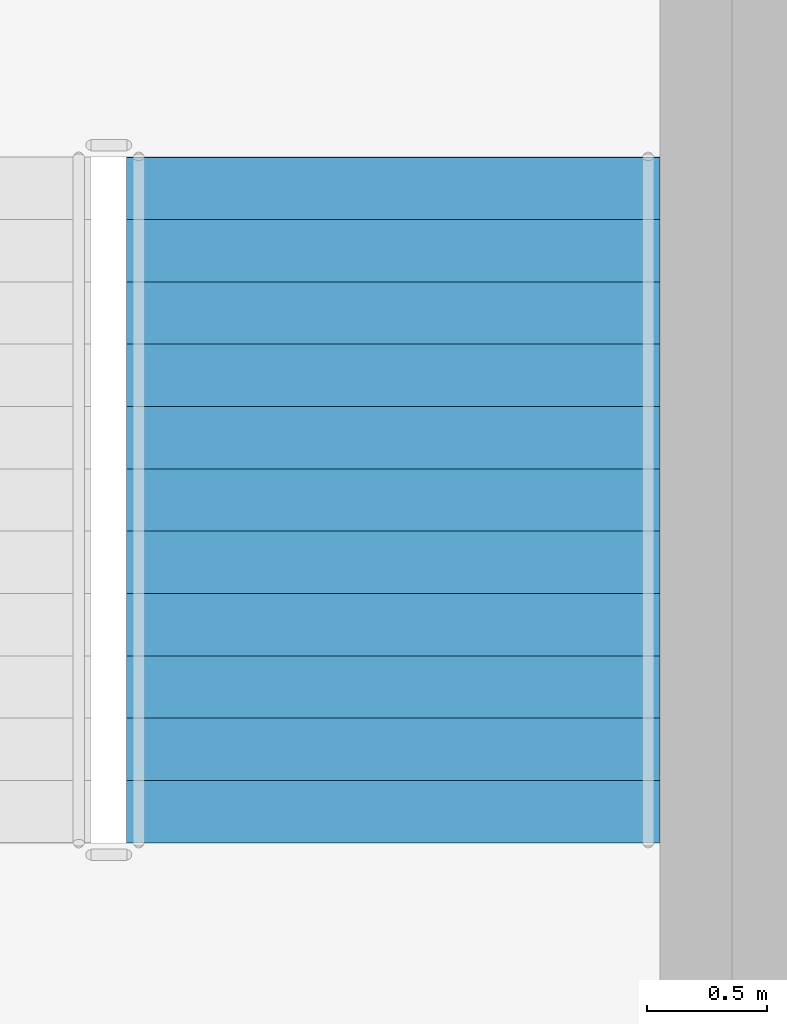
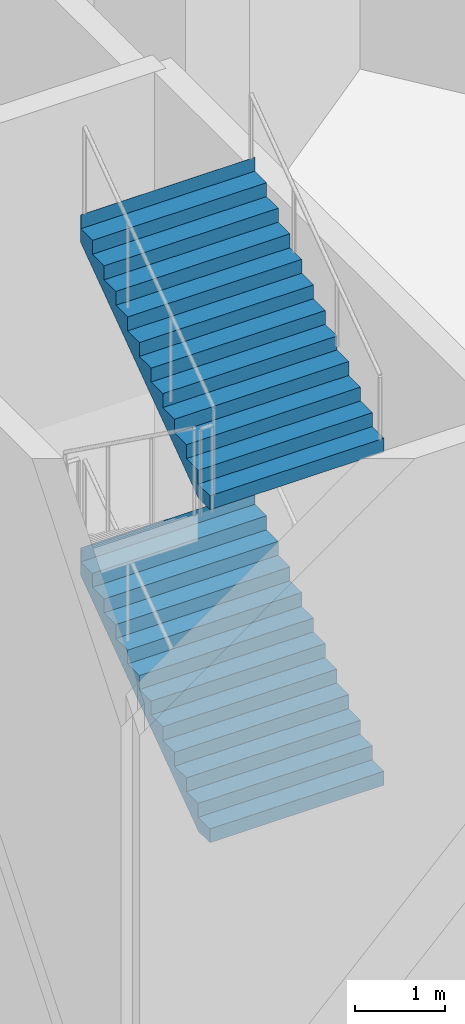
# One storey, part 18 of 35: 2 stair flights, 1 element without a shape of its own.
"""IFC4 building model written with IfcOpenShell, lengths in metres."""

from ifc_helpers import new_model, si_unit, direction, frame, origin, place, context, subcontext, project, spatial, triangles, material, type_object, element, aggregate, save


model = new_model("IFC4")

# Units and contexts
model_context = context("Model", 3, precision=1e-05, world=origin(), true_north=direction((0.0, 1.0)))
body_context = subcontext(model_context, "Body", "Model", "MODEL_VIEW")
ifc_project = project(units=[si_unit("LENGTHUNIT", "METRE"), si_unit("AREAUNIT", "SQUARE_METRE"), si_unit("VOLUMEUNIT", "CUBIC_METRE"), si_unit("PLANEANGLEUNIT", "RADIAN"), si_unit("MASSUNIT", "GRAM", prefix="KILO")], contexts=[model_context])

# Site, building, storey
site_placement = place(None, origin())
site = spatial("IfcSite", under=ifc_project, at=site_placement, CompositionType="ELEMENT")
building_placement = place(site_placement, origin())
building = spatial("IfcBuilding", under=site, at=building_placement, Name="Sahrelin Media Tower", CompositionType="ELEMENT")
storey_placement = place(building_placement, frame((0.0, 0.0, 17.0)))
storey = spatial("IfcBuildingStorey", under=building, at=storey_placement, Name="L02", CompositionType="ELEMENT", Elevation=17.0)

# Stair, stair flights
ifc_material = material(Name="Concrete C40/50", Category="concrete")
stair_type = type_object("IfcStairType", Name="Podium stair 2225", PredefinedType="HALF_TURN_STAIR", material=ifc_material)
stair_placement = place(storey_placement, origin())
stair = element("IfcStair", 1, at=stair_placement, inside=storey, type_object=stair_type, Name="L02 Podium stair PS4", PredefinedType="HALF_TURN_STAIR")
stair_flight_type = type_object("IfcStairFlightType", Name="Stair flight 2225", PredefinedType="STRAIGHT", material=ifc_material)
stair_flight_1_placement = place(storey_placement, frame((11.83740234375, -33.485107421875, 2.25), z_axis=(0.0, 0.0, 1.0), x_axis=(0.0, 1.0, 0.0)))
stair_flight_1 = element("IfcStairFlight", 2, at=stair_flight_1_placement, type_object=stair_flight_type, Name="PS4 flight 2", NumberOfRisers=12, NumberOfTreads=11, PredefinedType="STRAIGHT", RiserHeight=0.1875, TreadLength=0.26, context=body_context, shape_type="Tessellation", body=[
    triangles([(0.25634765625, 1.112548828125, 0.0), (0.25634765625, 0.794677734375, 0.0), (0.25634765625, 0.476806640625, 0.0), (0.25634765625, 0.158935546875, 0.0), (0.25634765625, -0.158935546875, 0.0), (0.25634765625, -0.476806640625, 0.0), (0.25634765625, -0.794677734375, 0.0), (0.25634765625, -1.112548828125, 0.0), (2.860107421875, 1.112548828125, 1.877685546875), (2.860107421875, 0.794677734375, 1.877685546875), (2.860107421875, 0.476806640625, 1.877685546875), (2.860107421875, 0.158935546875, 1.877685546875), (2.860107421875, -0.158935546875, 1.877685546875), (2.860107421875, -0.476806640625, 1.877685546875), (2.860107421875, -0.794677734375, 1.877685546875), (2.860107421875, -1.112548828125, 1.877685546875), (2.860107421875, 1.112548828125, 2.25), (2.860107421875, 0.794677734375, 2.25), (2.860107421875, 0.476806640625, 2.25), (2.860107421875, 0.158935546875, 2.25), (2.860107421875, -0.158935546875, 2.25), (2.860107421875, -0.476806640625, 2.25), (2.860107421875, -0.794677734375, 2.25), (2.860107421875, -1.112548828125, 2.25), (2.85791015625, 1.112548828125, 2.25), (2.85791015625, 0.794677734375, 2.25), (2.85791015625, 0.476806640625, 2.25), (2.85791015625, 0.158935546875, 2.25), (2.85791015625, -0.158935546875, 2.25), (2.85791015625, -0.476806640625, 2.25), (2.85791015625, -0.794677734375, 2.25), (2.85791015625, -1.112548828125, 2.25), (2.85791015625, 1.112548828125, 2.0625), (2.85791015625, 0.794677734375, 2.0625), (2.85791015625, 0.476806640625, 2.0625), (2.85791015625, 0.158935546875, 2.0625), (2.85791015625, -0.158935546875, 2.0625), (2.85791015625, -0.476806640625, 2.0625), (2.85791015625, -0.794677734375, 2.0625), (2.85791015625, -1.112548828125, 2.0625), (2.60009765625, 1.112548828125, 2.0625), (2.60009765625, 0.794677734375, 2.0625), (2.60009765625, 0.476806640625, 2.0625), (2.60009765625, 0.158935546875, 2.0625), (2.60009765625, -0.158935546875, 2.0625), (2.60009765625, -0.476806640625, 2.0625), (2.60009765625, -0.794677734375, 2.0625), (2.60009765625, -1.112548828125, 2.0625), (2.60009765625, 1.112548828125, 1.875), (2.60009765625, 0.794677734375, 1.875), (2.60009765625, 0.476806640625, 1.875), (2.60009765625, 0.158935546875, 1.875), (2.60009765625, -0.158935546875, 1.875), (2.60009765625, -0.476806640625, 1.875), (2.60009765625, -0.794677734375, 1.875), (2.60009765625, -1.112548828125, 1.875), (2.340087890625, 1.112548828125, 1.875), (2.340087890625, 0.794677734375, 1.875), (2.340087890625, 0.476806640625, 1.875), (2.340087890625, 0.158935546875, 1.875), (2.340087890625, -0.158935546875, 1.875), (2.340087890625, -0.476806640625, 1.875), (2.340087890625, -0.794677734375, 1.875), (2.340087890625, -1.112548828125, 1.875), (2.340087890625, 1.112548828125, 1.6875), (2.340087890625, 0.794677734375, 1.6875), (2.340087890625, 0.476806640625, 1.6875), (2.340087890625, 0.158935546875, 1.6875), (2.340087890625, -0.158935546875, 1.6875), (2.340087890625, -0.476806640625, 1.6875), (2.340087890625, -0.794677734375, 1.6875), (2.340087890625, -1.112548828125, 1.6875), (2.080078125, 1.112548828125, 1.6875), (2.080078125, 0.794677734375, 1.6875), (2.080078125, 0.476806640625, 1.6875), (2.080078125, 0.158935546875, 1.6875), (2.080078125, -0.158935546875, 1.6875), (2.080078125, -0.476806640625, 1.6875), (2.080078125, -0.794677734375, 1.6875), (2.080078125, -1.112548828125, 1.6875), (2.080078125, 1.112548828125, 1.5), (2.080078125, 0.794677734375, 1.5), (2.080078125, 0.476806640625, 1.5), (2.080078125, 0.158935546875, 1.5), (2.080078125, -0.158935546875, 1.5), (2.080078125, -0.476806640625, 1.5), (2.080078125, -0.794677734375, 1.5), (2.080078125, -1.112548828125, 1.5), (1.820068359375, 1.112548828125, 1.5), (1.820068359375, 0.794677734375, 1.5), (1.820068359375, 0.476806640625, 1.5), (1.820068359375, 0.158935546875, 1.5), (1.820068359375, -0.158935546875, 1.5), (1.820068359375, -0.476806640625, 1.5), (1.820068359375, -0.794677734375, 1.5), (1.820068359375, -1.112548828125, 1.5), (1.820068359375, 1.112548828125, 1.3125), (1.820068359375, 0.794677734375, 1.3125), (1.820068359375, 0.476806640625, 1.3125), (1.820068359375, 0.158935546875, 1.3125), (1.820068359375, -0.158935546875, 1.3125), (1.820068359375, -0.476806640625, 1.3125), (1.820068359375, -0.794677734375, 1.3125), (1.820068359375, -1.112548828125, 1.3125), (1.56005859375, 1.112548828125, 1.3125), (1.56005859375, 0.794677734375, 1.3125), (1.56005859375, 0.476806640625, 1.3125), (1.56005859375, 0.158935546875, 1.3125), (1.56005859375, -0.158935546875, 1.3125), (1.56005859375, -0.476806640625, 1.3125), (1.56005859375, -0.794677734375, 1.3125), (1.56005859375, -1.112548828125, 1.3125), (1.56005859375, 1.112548828125, 1.125), (1.56005859375, 0.794677734375, 1.125), (1.56005859375, 0.476806640625, 1.125), (1.56005859375, 0.158935546875, 1.125), (1.56005859375, -0.158935546875, 1.125), (1.56005859375, -0.476806640625, 1.125), (1.56005859375, -0.794677734375, 1.125), (1.56005859375, -1.112548828125, 1.125), (1.300048828125, 1.112548828125, 1.125), (1.300048828125, 0.794677734375, 1.125), (1.300048828125, 0.476806640625, 1.125), (1.300048828125, 0.158935546875, 1.125), (1.300048828125, -0.158935546875, 1.125), (1.300048828125, -0.476806640625, 1.125), (1.300048828125, -0.794677734375, 1.125), (1.300048828125, -1.112548828125, 1.125), (1.300048828125, 1.112548828125, 0.9375), (1.300048828125, 0.794677734375, 0.9375), (1.300048828125, 0.476806640625, 0.9375), (1.300048828125, 0.158935546875, 0.9375), (1.300048828125, -0.158935546875, 0.9375), (1.300048828125, -0.476806640625, 0.9375), (1.300048828125, -0.794677734375, 0.9375), (1.300048828125, -1.112548828125, 0.9375), (1.0400390625, 1.112548828125, 0.9375), (1.0400390625, 0.794677734375, 0.9375), (1.0400390625, 0.476806640625, 0.9375), (1.0400390625, 0.158935546875, 0.9375), (1.0400390625, -0.158935546875, 0.9375), (1.0400390625, -0.476806640625, 0.9375), (1.0400390625, -0.794677734375, 0.9375), (1.0400390625, -1.112548828125, 0.9375), (1.0400390625, 1.112548828125, 0.75), (1.0400390625, 0.794677734375, 0.75), (1.0400390625, 0.476806640625, 0.75), (1.0400390625, 0.158935546875, 0.75), (1.0400390625, -0.158935546875, 0.75), (1.0400390625, -0.476806640625, 0.75), (1.0400390625, -0.794677734375, 0.75), (1.0400390625, -1.112548828125, 0.75), (0.780029296875, 1.112548828125, 0.75), (0.780029296875, 0.794677734375, 0.75), (0.780029296875, 0.476806640625, 0.75), (0.780029296875, 0.158935546875, 0.75), (0.780029296875, -0.158935546875, 0.75), (0.780029296875, -0.476806640625, 0.75), (0.780029296875, -0.794677734375, 0.75), (0.780029296875, -1.112548828125, 0.75), (0.780029296875, 1.112548828125, 0.5625), (0.780029296875, 0.794677734375, 0.5625), (0.780029296875, 0.476806640625, 0.5625), (0.780029296875, 0.158935546875, 0.5625), (0.780029296875, -0.158935546875, 0.5625), (0.780029296875, -0.476806640625, 0.5625), (0.780029296875, -0.794677734375, 0.5625), (0.780029296875, -1.112548828125, 0.5625), (0.52001953125, 1.112548828125, 0.5625), (0.52001953125, 0.794677734375, 0.5625), (0.52001953125, 0.476806640625, 0.5625), (0.52001953125, 0.158935546875, 0.5625), (0.52001953125, -0.158935546875, 0.5625), (0.52001953125, -0.476806640625, 0.5625), (0.52001953125, -0.794677734375, 0.5625), (0.52001953125, -1.112548828125, 0.5625), (0.52001953125, 1.112548828125, 0.375), (0.52001953125, 0.794677734375, 0.375), (0.52001953125, 0.476806640625, 0.375), (0.52001953125, 0.158935546875, 0.375), (0.52001953125, -0.158935546875, 0.375), (0.52001953125, -0.476806640625, 0.375), (0.52001953125, -0.794677734375, 0.375), (0.52001953125, -1.112548828125, 0.375), (0.260009765625, 1.112548828125, 0.375), (0.260009765625, 0.794677734375, 0.375), (0.260009765625, 0.476806640625, 0.375), (0.260009765625, 0.158935546875, 0.375), (0.260009765625, -0.158935546875, 0.375), (0.260009765625, -0.476806640625, 0.375), (0.260009765625, -0.794677734375, 0.375), (0.260009765625, -1.112548828125, 0.375), (0.260009765625, 1.112548828125, 0.1875), (0.260009765625, 0.794677734375, 0.1875), (0.260009765625, 0.476806640625, 0.1875), (0.260009765625, 0.158935546875, 0.1875), (0.260009765625, -0.158935546875, 0.1875), (0.260009765625, -0.476806640625, 0.1875), (0.260009765625, -0.794677734375, 0.1875), (0.260009765625, -1.112548828125, 0.1875), (0.0, 1.112548828125, 0.1875), (0.0, 0.794677734375, 0.1875), (0.0, 0.476806640625, 0.1875), (0.0, 0.158935546875, 0.1875), (0.0, -0.158935546875, 0.1875), (0.0, -0.476806640625, 0.1875), (0.0, -0.794677734375, 0.1875), (0.0, -1.112548828125, 0.1875), (0.0, 1.112548828125, 0.0), (0.0, 0.794677734375, 0.0), (0.0, 0.476806640625, 0.0), (0.0, 0.158935546875, 0.0), (0.0, -0.158935546875, 0.0), (0.0, -0.476806640625, 0.0), (0.0, -0.794677734375, 0.0), (0.0, -1.112548828125, 0.0)], [[1, 9, 10], [1, 10, 2], [2, 10, 11], [2, 11, 3], [3, 11, 12], [3, 12, 4], [4, 12, 13], [4, 13, 5], [5, 13, 14], [5, 14, 6], [6, 14, 15], [6, 15, 7], [7, 15, 16], [7, 16, 8], [9, 17, 18], [9, 18, 10], [10, 18, 19], [10, 19, 11], [11, 19, 20], [11, 20, 12], [12, 20, 21], [12, 21, 13], [13, 21, 22], [13, 22, 14], [14, 22, 23], [14, 23, 15], [15, 23, 24], [15, 24, 16], [17, 25, 26], [17, 26, 18], [18, 26, 27], [18, 27, 19], [19, 27, 28], [19, 28, 20], [20, 28, 29], [20, 29, 21], [21, 29, 30], [21, 30, 22], [22, 30, 31], [22, 31, 23], [23, 31, 32], [23, 32, 24], [25, 33, 34], [25, 34, 26], [26, 34, 35], [26, 35, 27], [27, 35, 36], [27, 36, 28], [28, 36, 37], [28, 37, 29], [29, 37, 38], [29, 38, 30], [30, 38, 39], [30, 39, 31], [31, 39, 40], [31, 40, 32], [33, 41, 42], [33, 42, 34], [34, 42, 43], [34, 43, 35], [35, 43, 44], [35, 44, 36], [36, 44, 45], [36, 45, 37], [37, 45, 46], [37, 46, 38], [38, 46, 47], [38, 47, 39], [39, 47, 48], [39, 48, 40], [41, 49, 50], [41, 50, 42], [42, 50, 51], [42, 51, 43], [43, 51, 52], [43, 52, 44], [44, 52, 53], [44, 53, 45], [45, 53, 54], [45, 54, 46], [46, 54, 55], [46, 55, 47], [47, 55, 56], [47, 56, 48], [49, 57, 58], [49, 58, 50], [50, 58, 59], [50, 59, 51], [51, 59, 60], [51, 60, 52], [52, 60, 61], [52, 61, 53], [53, 61, 62], [53, 62, 54], [54, 62, 63], [54, 63, 55], [55, 63, 64], [55, 64, 56], [57, 65, 66], [57, 66, 58], [58, 66, 67], [58, 67, 59], [59, 67, 68], [59, 68, 60], [60, 68, 69], [60, 69, 61], [61, 69, 70], [61, 70, 62], [62, 70, 71], [62, 71, 63], [63, 71, 72], [63, 72, 64], [65, 73, 74], [65, 74, 66], [66, 74, 75], [66, 75, 67], [67, 75, 76], [67, 76, 68], [68, 76, 77], [68, 77, 69], [69, 77, 78], [69, 78, 70], [70, 78, 79], [70, 79, 71], [71, 79, 80], [71, 80, 72], [73, 81, 82], [73, 82, 74], [74, 82, 83], [74, 83, 75], [75, 83, 84], [75, 84, 76], [76, 84, 85], [76, 85, 77], [77, 85, 86], [77, 86, 78], [78, 86, 87], [78, 87, 79], [79, 87, 88], [79, 88, 80], [81, 89, 90], [81, 90, 82], [82, 90, 91], [82, 91, 83], [83, 91, 92], [83, 92, 84], [84, 92, 93], [84, 93, 85], [85, 93, 94], [85, 94, 86], [86, 94, 95], [86, 95, 87], [87, 95, 96], [87, 96, 88], [89, 97, 98], [89, 98, 90], [90, 98, 99], [90, 99, 91], [91, 99, 100], [91, 100, 92], [92, 100, 101], [92, 101, 93], [93, 101, 102], [93, 102, 94], [94, 102, 103], [94, 103, 95], [95, 103, 104], [95, 104, 96], [97, 105, 106], [97, 106, 98], [98, 106, 107], [98, 107, 99], [99, 107, 108], [99, 108, 100], [100, 108, 109], [100, 109, 101], [101, 109, 110], [101, 110, 102], [102, 110, 111], [102, 111, 103], [103, 111, 112], [103, 112, 104], [105, 113, 114], [105, 114, 106], [106, 114, 115], [106, 115, 107], [107, 115, 116], [107, 116, 108], [108, 116, 117], [108, 117, 109], [109, 117, 118], [109, 118, 110], [110, 118, 119], [110, 119, 111], [111, 119, 120], [111, 120, 112], [113, 121, 122], [113, 122, 114], [114, 122, 123], [114, 123, 115], [115, 123, 124], [115, 124, 116], [116, 124, 125], [116, 125, 117], [117, 125, 126], [117, 126, 118], [118, 126, 127], [118, 127, 119], [119, 127, 128], [119, 128, 120], [121, 129, 130], [121, 130, 122], [122, 130, 131], [122, 131, 123], [123, 131, 132], [123, 132, 124], [124, 132, 133], [124, 133, 125], [125, 133, 134], [125, 134, 126], [126, 134, 135], [126, 135, 127], [127, 135, 136], [127, 136, 128], [129, 137, 138], [129, 138, 130], [130, 138, 139], [130, 139, 131], [131, 139, 140], [131, 140, 132], [132, 140, 141], [132, 141, 133], [133, 141, 142], [133, 142, 134], [134, 142, 143], [134, 143, 135], [135, 143, 144], [135, 144, 136], [137, 145, 146], [137, 146, 138], [138, 146, 147], [138, 147, 139], [139, 147, 148], [139, 148, 140], [140, 148, 149], [140, 149, 141], [141, 149, 150], [141, 150, 142], [142, 150, 151], [142, 151, 143], [143, 151, 152], [143, 152, 144], [145, 153, 154], [145, 154, 146], [146, 154, 155], [146, 155, 147], [147, 155, 156], [147, 156, 148], [148, 156, 157], [148, 157, 149], [149, 157, 158], [149, 158, 150], [150, 158, 159], [150, 159, 151], [151, 159, 160], [151, 160, 152], [153, 161, 162], [153, 162, 154], [154, 162, 163], [154, 163, 155], [155, 163, 164], [155, 164, 156], [156, 164, 165], [156, 165, 157], [157, 165, 166], [157, 166, 158], [158, 166, 167], [158, 167, 159], [159, 167, 168], [159, 168, 160], [161, 169, 170], [161, 170, 162], [162, 170, 171], [162, 171, 163], [163, 171, 172], [163, 172, 164], [164, 172, 173], [164, 173, 165], [165, 173, 174], [165, 174, 166], [166, 174, 175], [166, 175, 167], [167, 175, 176], [167, 176, 168], [169, 177, 178], [169, 178, 170], [170, 178, 179], [170, 179, 171], [171, 179, 180], [171, 180, 172], [172, 180, 181], [172, 181, 173], [173, 181, 182], [173, 182, 174], [174, 182, 183], [174, 183, 175], [175, 183, 184], [175, 184, 176], [177, 185, 186], [177, 186, 178], [178, 186, 187], [178, 187, 179], [179, 187, 188], [179, 188, 180], [180, 188, 189], [180, 189, 181], [181, 189, 190], [181, 190, 182], [182, 190, 191], [182, 191, 183], [183, 191, 192], [183, 192, 184], [185, 193, 194], [185, 194, 186], [186, 194, 195], [186, 195, 187], [187, 195, 196], [187, 196, 188], [188, 196, 197], [188, 197, 189], [189, 197, 198], [189, 198, 190], [190, 198, 199], [190, 199, 191], [191, 199, 200], [191, 200, 192], [193, 201, 202], [193, 202, 194], [194, 202, 203], [194, 203, 195], [195, 203, 204], [195, 204, 196], [196, 204, 205], [196, 205, 197], [197, 205, 206], [197, 206, 198], [198, 206, 207], [198, 207, 199], [199, 207, 208], [199, 208, 200], [201, 209, 210], [201, 210, 202], [202, 210, 211], [202, 211, 203], [203, 211, 212], [203, 212, 204], [204, 212, 213], [204, 213, 205], [205, 213, 214], [205, 214, 206], [206, 214, 215], [206, 215, 207], [207, 215, 216], [207, 216, 208], [209, 1, 2], [209, 2, 210], [210, 2, 3], [210, 3, 211], [211, 3, 4], [211, 4, 212], [212, 4, 5], [212, 5, 213], [213, 5, 6], [213, 6, 214], [214, 6, 7], [214, 7, 215], [215, 7, 8], [215, 8, 216], [8, 208, 216], [1, 209, 201], [200, 184, 192], [193, 185, 177], [184, 168, 176], [177, 169, 161], [168, 152, 160], [161, 153, 145], [152, 136, 144], [145, 137, 129], [136, 120, 128], [129, 121, 113], [120, 104, 112], [113, 105, 97], [104, 88, 96], [97, 89, 81], [88, 72, 80], [81, 73, 65], [72, 56, 64], [65, 57, 49], [56, 40, 48], [49, 41, 33], [40, 24, 32], [33, 25, 17], [8, 200, 208], [1, 201, 193], [16, 56, 72], [9, 65, 49], [40, 16, 24], [33, 17, 9], [184, 200, 8], [177, 1, 193], [56, 16, 40], [49, 33, 9], [168, 184, 8], [161, 1, 177], [72, 88, 16], [65, 9, 81], [152, 168, 8], [145, 1, 161], [104, 16, 88], [97, 81, 9], [136, 152, 8], [129, 1, 145], [120, 16, 104], [113, 97, 9], [120, 136, 8], [113, 1, 129], [8, 16, 120], [1, 113, 9]], closed=True),
])
stair_flight_2_placement = place(storey_placement, frame((11.83740234375, -33.485107421875, 6.75), z_axis=(0.0, 0.0, 1.0), x_axis=(0.0, 1.0, 0.0)))
stair_flight_2 = element("IfcStairFlight", 3, at=stair_flight_2_placement, type_object=stair_flight_type, Name="PS4 flight 4", NumberOfRisers=12, NumberOfTreads=11, PredefinedType="STRAIGHT", RiserHeight=0.1875, TreadLength=0.26, context=body_context, shape_type="Tessellation", body=[
    triangles([(0.25634765625, 1.112548828125, 0.0), (0.25634765625, 0.794677734375, 0.0), (0.25634765625, 0.476806640625, 0.0), (0.25634765625, 0.158935546875, 0.0), (0.25634765625, -0.158935546875, 0.0), (0.25634765625, -0.476806640625, 0.0), (0.25634765625, -0.794677734375, 0.0), (0.25634765625, -1.112548828125, 0.0), (2.860107421875, 1.112548828125, 1.877685546875), (2.860107421875, 0.794677734375, 1.877685546875), (2.860107421875, 0.476806640625, 1.877685546875), (2.860107421875, 0.158935546875, 1.877685546875), (2.860107421875, -0.158935546875, 1.877685546875), (2.860107421875, -0.476806640625, 1.877685546875), (2.860107421875, -0.794677734375, 1.877685546875), (2.860107421875, -1.112548828125, 1.877685546875), (2.860107421875, 1.112548828125, 2.25), (2.860107421875, 0.794677734375, 2.25), (2.860107421875, 0.476806640625, 2.25), (2.860107421875, 0.158935546875, 2.25), (2.860107421875, -0.158935546875, 2.25), (2.860107421875, -0.476806640625, 2.25), (2.860107421875, -0.794677734375, 2.25), (2.860107421875, -1.112548828125, 2.25), (2.85791015625, 1.112548828125, 2.25), (2.85791015625, 0.794677734375, 2.25), (2.85791015625, 0.476806640625, 2.25), (2.85791015625, 0.158935546875, 2.25), (2.85791015625, -0.158935546875, 2.25), (2.85791015625, -0.476806640625, 2.25), (2.85791015625, -0.794677734375, 2.25), (2.85791015625, -1.112548828125, 2.25), (2.85791015625, 1.112548828125, 2.0625), (2.85791015625, 0.794677734375, 2.0625), (2.85791015625, 0.476806640625, 2.0625), (2.85791015625, 0.158935546875, 2.0625), (2.85791015625, -0.158935546875, 2.0625), (2.85791015625, -0.476806640625, 2.0625), (2.85791015625, -0.794677734375, 2.0625), (2.85791015625, -1.112548828125, 2.0625), (2.60009765625, 1.112548828125, 2.0625), (2.60009765625, 0.794677734375, 2.0625), (2.60009765625, 0.476806640625, 2.0625), (2.60009765625, 0.158935546875, 2.0625), (2.60009765625, -0.158935546875, 2.0625), (2.60009765625, -0.476806640625, 2.0625), (2.60009765625, -0.794677734375, 2.0625), (2.60009765625, -1.112548828125, 2.0625), (2.60009765625, 1.112548828125, 1.875), (2.60009765625, 0.794677734375, 1.875), (2.60009765625, 0.476806640625, 1.875), (2.60009765625, 0.158935546875, 1.875), (2.60009765625, -0.158935546875, 1.875), (2.60009765625, -0.476806640625, 1.875), (2.60009765625, -0.794677734375, 1.875), (2.60009765625, -1.112548828125, 1.875), (2.340087890625, 1.112548828125, 1.875), (2.340087890625, 0.794677734375, 1.875), (2.340087890625, 0.476806640625, 1.875), (2.340087890625, 0.158935546875, 1.875), (2.340087890625, -0.158935546875, 1.875), (2.340087890625, -0.476806640625, 1.875), (2.340087890625, -0.794677734375, 1.875), (2.340087890625, -1.112548828125, 1.875), (2.340087890625, 1.112548828125, 1.6875), (2.340087890625, 0.794677734375, 1.6875), (2.340087890625, 0.476806640625, 1.6875), (2.340087890625, 0.158935546875, 1.6875), (2.340087890625, -0.158935546875, 1.6875), (2.340087890625, -0.476806640625, 1.6875), (2.340087890625, -0.794677734375, 1.6875), (2.340087890625, -1.112548828125, 1.6875), (2.080078125, 1.112548828125, 1.6875), (2.080078125, 0.794677734375, 1.6875), (2.080078125, 0.476806640625, 1.6875), (2.080078125, 0.158935546875, 1.6875), (2.080078125, -0.158935546875, 1.6875), (2.080078125, -0.476806640625, 1.6875), (2.080078125, -0.794677734375, 1.6875), (2.080078125, -1.112548828125, 1.6875), (2.080078125, 1.112548828125, 1.5), (2.080078125, 0.794677734375, 1.5), (2.080078125, 0.476806640625, 1.5), (2.080078125, 0.158935546875, 1.5), (2.080078125, -0.158935546875, 1.5), (2.080078125, -0.476806640625, 1.5), (2.080078125, -0.794677734375, 1.5), (2.080078125, -1.112548828125, 1.5), (1.820068359375, 1.112548828125, 1.5), (1.820068359375, 0.794677734375, 1.5), (1.820068359375, 0.476806640625, 1.5), (1.820068359375, 0.158935546875, 1.5), (1.820068359375, -0.158935546875, 1.5), (1.820068359375, -0.476806640625, 1.5), (1.820068359375, -0.794677734375, 1.5), (1.820068359375, -1.112548828125, 1.5), (1.820068359375, 1.112548828125, 1.3125), (1.820068359375, 0.794677734375, 1.3125), (1.820068359375, 0.476806640625, 1.3125), (1.820068359375, 0.158935546875, 1.3125), (1.820068359375, -0.158935546875, 1.3125), (1.820068359375, -0.476806640625, 1.3125), (1.820068359375, -0.794677734375, 1.3125), (1.820068359375, -1.112548828125, 1.3125), (1.56005859375, 1.112548828125, 1.3125), (1.56005859375, 0.794677734375, 1.3125), (1.56005859375, 0.476806640625, 1.3125), (1.56005859375, 0.158935546875, 1.3125), (1.56005859375, -0.158935546875, 1.3125), (1.56005859375, -0.476806640625, 1.3125), (1.56005859375, -0.794677734375, 1.3125), (1.56005859375, -1.112548828125, 1.3125), (1.56005859375, 1.112548828125, 1.125), (1.56005859375, 0.794677734375, 1.125), (1.56005859375, 0.476806640625, 1.125), (1.56005859375, 0.158935546875, 1.125), (1.56005859375, -0.158935546875, 1.125), (1.56005859375, -0.476806640625, 1.125), (1.56005859375, -0.794677734375, 1.125), (1.56005859375, -1.112548828125, 1.125), (1.300048828125, 1.112548828125, 1.125), (1.300048828125, 0.794677734375, 1.125), (1.300048828125, 0.476806640625, 1.125), (1.300048828125, 0.158935546875, 1.125), (1.300048828125, -0.158935546875, 1.125), (1.300048828125, -0.476806640625, 1.125), (1.300048828125, -0.794677734375, 1.125), (1.300048828125, -1.112548828125, 1.125), (1.300048828125, 1.112548828125, 0.9375), (1.300048828125, 0.794677734375, 0.9375), (1.300048828125, 0.476806640625, 0.9375), (1.300048828125, 0.158935546875, 0.9375), (1.300048828125, -0.158935546875, 0.9375), (1.300048828125, -0.476806640625, 0.9375), (1.300048828125, -0.794677734375, 0.9375), (1.300048828125, -1.112548828125, 0.9375), (1.0400390625, 1.112548828125, 0.9375), (1.0400390625, 0.794677734375, 0.9375), (1.0400390625, 0.476806640625, 0.9375), (1.0400390625, 0.158935546875, 0.9375), (1.0400390625, -0.158935546875, 0.9375), (1.0400390625, -0.476806640625, 0.9375), (1.0400390625, -0.794677734375, 0.9375), (1.0400390625, -1.112548828125, 0.9375), (1.0400390625, 1.112548828125, 0.75), (1.0400390625, 0.794677734375, 0.75), (1.0400390625, 0.476806640625, 0.75), (1.0400390625, 0.158935546875, 0.75), (1.0400390625, -0.158935546875, 0.75), (1.0400390625, -0.476806640625, 0.75), (1.0400390625, -0.794677734375, 0.75), (1.0400390625, -1.112548828125, 0.75), (0.780029296875, 1.112548828125, 0.75), (0.780029296875, 0.794677734375, 0.75), (0.780029296875, 0.476806640625, 0.75), (0.780029296875, 0.158935546875, 0.75), (0.780029296875, -0.158935546875, 0.75), (0.780029296875, -0.476806640625, 0.75), (0.780029296875, -0.794677734375, 0.75), (0.780029296875, -1.112548828125, 0.75), (0.780029296875, 1.112548828125, 0.5625), (0.780029296875, 0.794677734375, 0.5625), (0.780029296875, 0.476806640625, 0.5625), (0.780029296875, 0.158935546875, 0.5625), (0.780029296875, -0.158935546875, 0.5625), (0.780029296875, -0.476806640625, 0.5625), (0.780029296875, -0.794677734375, 0.5625), (0.780029296875, -1.112548828125, 0.5625), (0.52001953125, 1.112548828125, 0.5625), (0.52001953125, 0.794677734375, 0.5625), (0.52001953125, 0.476806640625, 0.5625), (0.52001953125, 0.158935546875, 0.5625), (0.52001953125, -0.158935546875, 0.5625), (0.52001953125, -0.476806640625, 0.5625), (0.52001953125, -0.794677734375, 0.5625), (0.52001953125, -1.112548828125, 0.5625), (0.52001953125, 1.112548828125, 0.375), (0.52001953125, 0.794677734375, 0.375), (0.52001953125, 0.476806640625, 0.375), (0.52001953125, 0.158935546875, 0.375), (0.52001953125, -0.158935546875, 0.375), (0.52001953125, -0.476806640625, 0.375), (0.52001953125, -0.794677734375, 0.375), (0.52001953125, -1.112548828125, 0.375), (0.260009765625, 1.112548828125, 0.375), (0.260009765625, 0.794677734375, 0.375), (0.260009765625, 0.476806640625, 0.375), (0.260009765625, 0.158935546875, 0.375), (0.260009765625, -0.158935546875, 0.375), (0.260009765625, -0.476806640625, 0.375), (0.260009765625, -0.794677734375, 0.375), (0.260009765625, -1.112548828125, 0.375), (0.260009765625, 1.112548828125, 0.1875), (0.260009765625, 0.794677734375, 0.1875), (0.260009765625, 0.476806640625, 0.1875), (0.260009765625, 0.158935546875, 0.1875), (0.260009765625, -0.158935546875, 0.1875), (0.260009765625, -0.476806640625, 0.1875), (0.260009765625, -0.794677734375, 0.1875), (0.260009765625, -1.112548828125, 0.1875), (0.0, 1.112548828125, 0.1875), (0.0, 0.794677734375, 0.1875), (0.0, 0.476806640625, 0.1875), (0.0, 0.158935546875, 0.1875), (0.0, -0.158935546875, 0.1875), (0.0, -0.476806640625, 0.1875), (0.0, -0.794677734375, 0.1875), (0.0, -1.112548828125, 0.1875), (0.0, 1.112548828125, 0.0), (0.0, 0.794677734375, 0.0), (0.0, 0.476806640625, 0.0), (0.0, 0.158935546875, 0.0), (0.0, -0.158935546875, 0.0), (0.0, -0.476806640625, 0.0), (0.0, -0.794677734375, 0.0), (0.0, -1.112548828125, 0.0)], [[1, 9, 10], [1, 10, 2], [2, 10, 11], [2, 11, 3], [3, 11, 12], [3, 12, 4], [4, 12, 13], [4, 13, 5], [5, 13, 14], [5, 14, 6], [6, 14, 15], [6, 15, 7], [7, 15, 16], [7, 16, 8], [9, 17, 18], [9, 18, 10], [10, 18, 19], [10, 19, 11], [11, 19, 20], [11, 20, 12], [12, 20, 21], [12, 21, 13], [13, 21, 22], [13, 22, 14], [14, 22, 23], [14, 23, 15], [15, 23, 24], [15, 24, 16], [17, 25, 26], [17, 26, 18], [18, 26, 27], [18, 27, 19], [19, 27, 28], [19, 28, 20], [20, 28, 29], [20, 29, 21], [21, 29, 30], [21, 30, 22], [22, 30, 31], [22, 31, 23], [23, 31, 32], [23, 32, 24], [25, 33, 34], [25, 34, 26], [26, 34, 35], [26, 35, 27], [27, 35, 36], [27, 36, 28], [28, 36, 37], [28, 37, 29], [29, 37, 38], [29, 38, 30], [30, 38, 39], [30, 39, 31], [31, 39, 40], [31, 40, 32], [33, 41, 42], [33, 42, 34], [34, 42, 43], [34, 43, 35], [35, 43, 44], [35, 44, 36], [36, 44, 45], [36, 45, 37], [37, 45, 46], [37, 46, 38], [38, 46, 47], [38, 47, 39], [39, 47, 48], [39, 48, 40], [41, 49, 50], [41, 50, 42], [42, 50, 51], [42, 51, 43], [43, 51, 52], [43, 52, 44], [44, 52, 53], [44, 53, 45], [45, 53, 54], [45, 54, 46], [46, 54, 55], [46, 55, 47], [47, 55, 56], [47, 56, 48], [49, 57, 58], [49, 58, 50], [50, 58, 59], [50, 59, 51], [51, 59, 60], [51, 60, 52], [52, 60, 61], [52, 61, 53], [53, 61, 62], [53, 62, 54], [54, 62, 63], [54, 63, 55], [55, 63, 64], [55, 64, 56], [57, 65, 66], [57, 66, 58], [58, 66, 67], [58, 67, 59], [59, 67, 68], [59, 68, 60], [60, 68, 69], [60, 69, 61], [61, 69, 70], [61, 70, 62], [62, 70, 71], [62, 71, 63], [63, 71, 72], [63, 72, 64], [65, 73, 74], [65, 74, 66], [66, 74, 75], [66, 75, 67], [67, 75, 76], [67, 76, 68], [68, 76, 77], [68, 77, 69], [69, 77, 78], [69, 78, 70], [70, 78, 79], [70, 79, 71], [71, 79, 80], [71, 80, 72], [73, 81, 82], [73, 82, 74], [74, 82, 83], [74, 83, 75], [75, 83, 84], [75, 84, 76], [76, 84, 85], [76, 85, 77], [77, 85, 86], [77, 86, 78], [78, 86, 87], [78, 87, 79], [79, 87, 88], [79, 88, 80], [81, 89, 90], [81, 90, 82], [82, 90, 91], [82, 91, 83], [83, 91, 92], [83, 92, 84], [84, 92, 93], [84, 93, 85], [85, 93, 94], [85, 94, 86], [86, 94, 95], [86, 95, 87], [87, 95, 96], [87, 96, 88], [89, 97, 98], [89, 98, 90], [90, 98, 99], [90, 99, 91], [91, 99, 100], [91, 100, 92], [92, 100, 101], [92, 101, 93], [93, 101, 102], [93, 102, 94], [94, 102, 103], [94, 103, 95], [95, 103, 104], [95, 104, 96], [97, 105, 106], [97, 106, 98], [98, 106, 107], [98, 107, 99], [99, 107, 108], [99, 108, 100], [100, 108, 109], [100, 109, 101], [101, 109, 110], [101, 110, 102], [102, 110, 111], [102, 111, 103], [103, 111, 112], [103, 112, 104], [105, 113, 114], [105, 114, 106], [106, 114, 115], [106, 115, 107], [107, 115, 116], [107, 116, 108], [108, 116, 117], [108, 117, 109], [109, 117, 118], [109, 118, 110], [110, 118, 119], [110, 119, 111], [111, 119, 120], [111, 120, 112], [113, 121, 122], [113, 122, 114], [114, 122, 123], [114, 123, 115], [115, 123, 124], [115, 124, 116], [116, 124, 125], [116, 125, 117], [117, 125, 126], [117, 126, 118], [118, 126, 127], [118, 127, 119], [119, 127, 128], [119, 128, 120], [121, 129, 130], [121, 130, 122], [122, 130, 131], [122, 131, 123], [123, 131, 132], [123, 132, 124], [124, 132, 133], [124, 133, 125], [125, 133, 134], [125, 134, 126], [126, 134, 135], [126, 135, 127], [127, 135, 136], [127, 136, 128], [129, 137, 138], [129, 138, 130], [130, 138, 139], [130, 139, 131], [131, 139, 140], [131, 140, 132], [132, 140, 141], [132, 141, 133], [133, 141, 142], [133, 142, 134], [134, 142, 143], [134, 143, 135], [135, 143, 144], [135, 144, 136], [137, 145, 146], [137, 146, 138], [138, 146, 147], [138, 147, 139], [139, 147, 148], [139, 148, 140], [140, 148, 149], [140, 149, 141], [141, 149, 150], [141, 150, 142], [142, 150, 151], [142, 151, 143], [143, 151, 152], [143, 152, 144], [145, 153, 154], [145, 154, 146], [146, 154, 155], [146, 155, 147], [147, 155, 156], [147, 156, 148], [148, 156, 157], [148, 157, 149], [149, 157, 158], [149, 158, 150], [150, 158, 159], [150, 159, 151], [151, 159, 160], [151, 160, 152], [153, 161, 162], [153, 162, 154], [154, 162, 163], [154, 163, 155], [155, 163, 164], [155, 164, 156], [156, 164, 165], [156, 165, 157], [157, 165, 166], [157, 166, 158], [158, 166, 167], [158, 167, 159], [159, 167, 168], [159, 168, 160], [161, 169, 170], [161, 170, 162], [162, 170, 171], [162, 171, 163], [163, 171, 172], [163, 172, 164], [164, 172, 173], [164, 173, 165], [165, 173, 174], [165, 174, 166], [166, 174, 175], [166, 175, 167], [167, 175, 176], [167, 176, 168], [169, 177, 178], [169, 178, 170], [170, 178, 179], [170, 179, 171], [171, 179, 180], [171, 180, 172], [172, 180, 181], [172, 181, 173], [173, 181, 182], [173, 182, 174], [174, 182, 183], [174, 183, 175], [175, 183, 184], [175, 184, 176], [177, 185, 186], [177, 186, 178], [178, 186, 187], [178, 187, 179], [179, 187, 188], [179, 188, 180], [180, 188, 189], [180, 189, 181], [181, 189, 190], [181, 190, 182], [182, 190, 191], [182, 191, 183], [183, 191, 192], [183, 192, 184], [185, 193, 194], [185, 194, 186], [186, 194, 195], [186, 195, 187], [187, 195, 196], [187, 196, 188], [188, 196, 197], [188, 197, 189], [189, 197, 198], [189, 198, 190], [190, 198, 199], [190, 199, 191], [191, 199, 200], [191, 200, 192], [193, 201, 202], [193, 202, 194], [194, 202, 203], [194, 203, 195], [195, 203, 204], [195, 204, 196], [196, 204, 205], [196, 205, 197], [197, 205, 206], [197, 206, 198], [198, 206, 207], [198, 207, 199], [199, 207, 208], [199, 208, 200], [201, 209, 210], [201, 210, 202], [202, 210, 211], [202, 211, 203], [203, 211, 212], [203, 212, 204], [204, 212, 213], [204, 213, 205], [205, 213, 214], [205, 214, 206], [206, 214, 215], [206, 215, 207], [207, 215, 216], [207, 216, 208], [209, 1, 2], [209, 2, 210], [210, 2, 3], [210, 3, 211], [211, 3, 4], [211, 4, 212], [212, 4, 5], [212, 5, 213], [213, 5, 6], [213, 6, 214], [214, 6, 7], [214, 7, 215], [215, 7, 8], [215, 8, 216], [8, 208, 216], [1, 209, 201], [200, 184, 192], [193, 185, 177], [184, 168, 176], [177, 169, 161], [168, 152, 160], [161, 153, 145], [152, 136, 144], [145, 137, 129], [136, 120, 128], [129, 121, 113], [120, 104, 112], [113, 105, 97], [104, 88, 96], [97, 89, 81], [88, 72, 80], [81, 73, 65], [72, 56, 64], [65, 57, 49], [56, 40, 48], [49, 41, 33], [40, 24, 32], [33, 25, 17], [8, 200, 208], [1, 201, 193], [16, 56, 72], [9, 65, 49], [40, 16, 24], [33, 17, 9], [184, 200, 8], [177, 1, 193], [56, 16, 40], [49, 33, 9], [168, 184, 8], [161, 1, 177], [72, 88, 16], [65, 9, 81], [152, 168, 8], [145, 1, 161], [104, 16, 88], [97, 81, 9], [136, 152, 8], [129, 1, 145], [120, 16, 104], [113, 97, 9], [120, 136, 8], [113, 1, 129], [8, 16, 120], [1, 113, 9]], closed=True),
])
aggregate(stair, [stair_flight_1, stair_flight_2])

save(model, "model.ifc")
